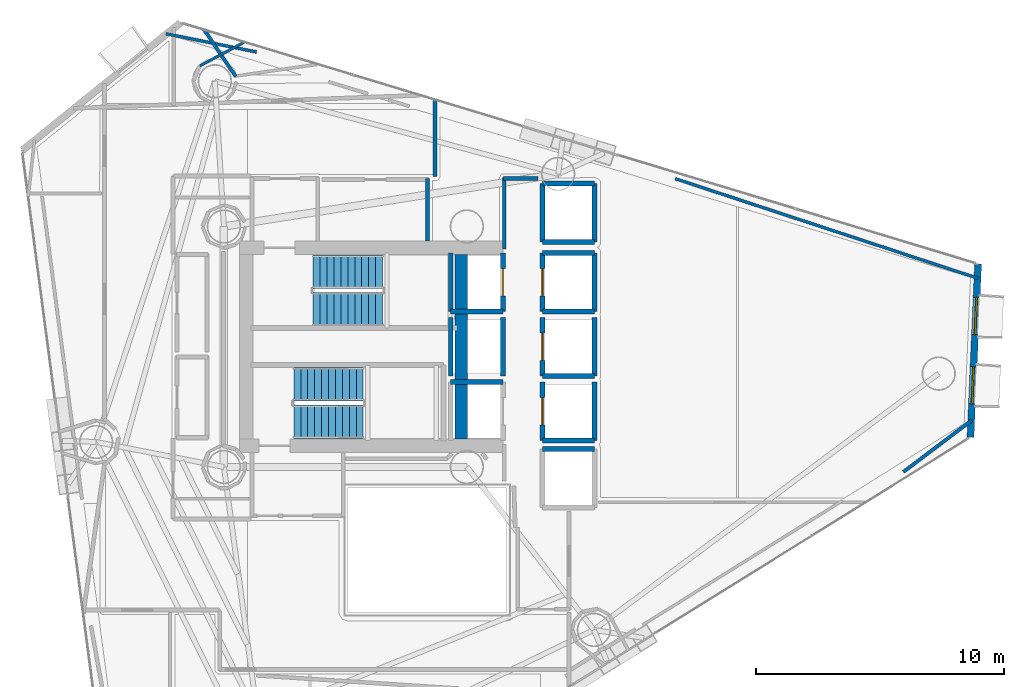
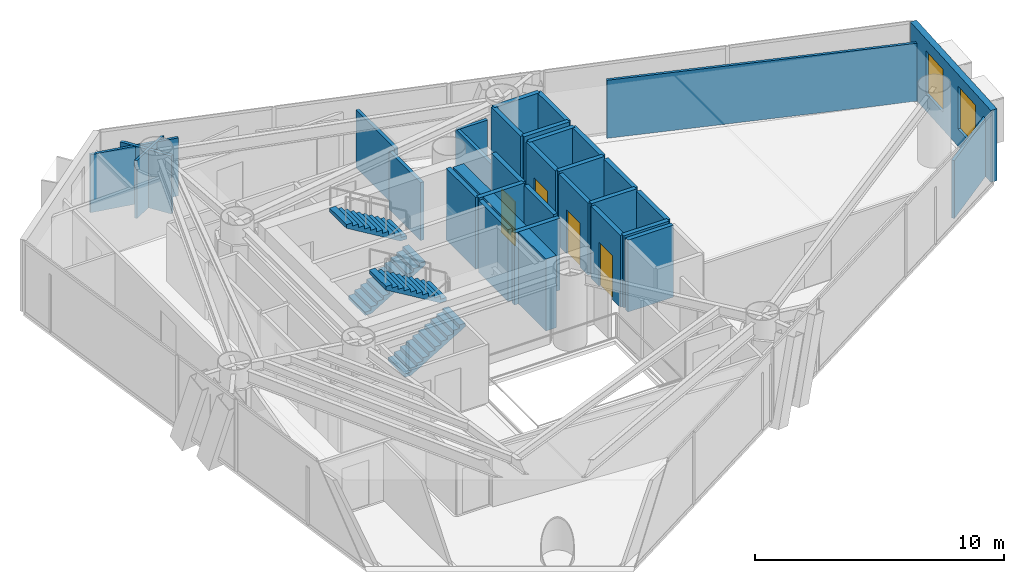
# One storey, part 20 of 22: 32 walls, 4 doors, 4 stair flights, 2 windows, 6 openings, 2 elements without a shape of their own.
"""IFC4 building model written with IfcOpenShell, lengths in metres."""

from ifc_helpers import new_model, si_unit, direction, frame, frame_2d, origin, place, context, subcontext, project, spatial, polyline, rectangle, outline, extrude, material, layer, layer_set, type_object, element, fill, aggregate, save


model = new_model("IFC4")

# Units and contexts
model_context = context("Model", 3, precision=1e-05, world=origin(), true_north=direction((0.0, 1.0)))
body_context = subcontext(model_context, "Body", "Model", "MODEL_VIEW")
ifc_project = project(units=[si_unit("LENGTHUNIT", "METRE"), si_unit("AREAUNIT", "SQUARE_METRE"), si_unit("VOLUMEUNIT", "CUBIC_METRE"), si_unit("PLANEANGLEUNIT", "RADIAN"), si_unit("MASSUNIT", "GRAM", prefix="KILO")], contexts=[model_context])

# Site, building, storey
site_placement = place(None, origin())
site = spatial("IfcSite", under=ifc_project, at=site_placement, CompositionType="ELEMENT")
building_placement = place(site_placement, origin())
building = spatial("IfcBuilding", under=site, at=building_placement, Name="Qianvela Tower", CompositionType="ELEMENT")
storey_placement = place(building_placement, frame((0.0, 0.0, 177.199951171875)))
storey = spatial("IfcBuildingStorey", under=building, at=storey_placement, Name="L45", CompositionType="ELEMENT", Elevation=177.199951171875)

# Wall, openings, windows
ifc_material_1 = material(Name="Terracotta Cladding on Concrete C40", Category="masonry")
ifc_layer_1 = layer(ifc_material_1, 0.280029296875)
ifc_layer_set_1 = layer_set([ifc_layer_1], Name="Terracotta Cladding on Concrete C40")
wall_type_1 = type_object("IfcWallType", Name="TERRACOTTA-WALL-280", PredefinedType="SOLIDWALL", material=ifc_layer_set_1)
wall_1_placement = place(storey_placement, frame((58.717529296875, 25.052001953125, 0.0), z_axis=(0.0, 0.0, 1.0), x_axis=(0.04366308489, 0.999046312749, 0.0)))
wall_1 = element("IfcWall", 1, at=wall_1_placement, inside=storey, type_object=wall_type_1, Name="L45 Terracotta Chamfer Facet Wall 1", PredefinedType="SOLIDWALL", context=body_context, shape_type="SweptSolid", body=[
    extrude(rectangle(XDim=6.9892578125, YDim=0.280029296875, at=frame_2d((3.49462890625, 0.0))), origin(), (0.0, 0.0, 1.0), 3.52001953125),
])
opening_1_placement = place(wall_1_placement, frame((1.3466796875, 0.0, 0.85009765625)))
opening_1 = element("IfcOpeningElement", 2, at=opening_1_placement, cuts=wall_1, Name="Opening W-02", PredefinedType="OPENING", context=body_context, shape_type="SweptSolid", body=[
    extrude(rectangle(XDim=1.5, YDim=2.10009765625, at=frame_2d((0.75, 1.050048828125))), frame((0.0, 0.14990234375, 0.0), z_axis=(0.0, -1.0, 0.0), x_axis=(1.0, 0.0, 0.0)), (0.0, 0.0, 1.0), 0.300048828125),
])
opening_2_placement = place(wall_1_placement, frame((4.142333984375, 0.0, 0.85009765625)))
opening_2 = element("IfcOpeningElement", 3, at=opening_2_placement, cuts=wall_1, Name="Opening W-02", PredefinedType="OPENING", context=body_context, shape_type="SweptSolid", body=[
    extrude(rectangle(XDim=1.5, YDim=2.10009765625, at=frame_2d((0.75, 1.050048828125))), frame((0.0, 0.14990234375, 0.0), z_axis=(0.0, -1.0, 0.0), x_axis=(1.0, 0.0, 0.0)), (0.0, 0.0, 1.0), 0.300048828125),
])
ifc_material_2 = material(Name="Thermally Broken Aluminium and Low-E Glass", Category="aluminium")
window_type = type_object("IfcWindowType", Name="WIN-TC-1500x2100", PartitioningType="DOUBLE_PANEL_VERTICAL", PredefinedType="WINDOW", material=ifc_material_2)
window_1_placement = place(opening_1_placement, origin())
window_1 = element("IfcWindow", 4, at=window_1_placement, inside=storey, type_object=window_type, Name="L45 Chamfer Facet Window 1.1", OverallHeight=2.10009765625, OverallWidth=1.5, PartitioningType="SINGLE_PANEL", PredefinedType="WINDOW", context=body_context, shape_type="SweptSolid", body=[
    extrude(rectangle(XDim=1.5, YDim=2.10009765625, at=frame_2d((0.75, 1.050048828125))), frame((0.0, 0.030029296875, 0.0), z_axis=(0.0, -1.0, 0.0), x_axis=(1.0, 0.0, 0.0)), (0.0, 0.0, 1.0), 0.06005859375),
])
fill(opening_1, window_1)
window_2_placement = place(opening_2_placement, origin())
window_2 = element("IfcWindow", 5, at=window_2_placement, inside=storey, type_object=window_type, Name="L45 Chamfer Facet Window 1.2", OverallHeight=2.10009765625, OverallWidth=1.5, PartitioningType="SINGLE_PANEL", PredefinedType="WINDOW", context=body_context, shape_type="SweptSolid", body=[
    extrude(rectangle(XDim=1.5, YDim=2.10009765625, at=frame_2d((0.75, 1.050048828125))), frame((0.0, 0.030029296875, 0.0), z_axis=(0.0, -1.0, 0.0), x_axis=(1.0, 0.0, 0.0)), (0.0, 0.0, 1.0), 0.06005859375),
])
fill(opening_2, window_2)

# Walls
ifc_material_3 = material(Name="Concrete C60", Category="concrete")
ifc_layer_2 = layer(ifc_material_3, 0.550048828125)
ifc_layer_set_2 = layer_set([ifc_layer_2], Name="Concrete C60")
wall_type_2 = type_object("IfcWallType", Name="WT-CORE-550", PredefinedType="SHEAR", material=ifc_layer_set_2)
wall_2_placement = place(storey_placement, frame((38.179931640625, 24.97998046875, 0.0), z_axis=(0.0, 0.0, 1.0), x_axis=(0.0, 1.0, 0.0)))
element("IfcWall", 6, at=wall_2_placement, inside=storey, type_object=wall_type_2, Name="L45 East Spine Core Shear Wall", PredefinedType="SHEAR", context=body_context, shape_type="SweptSolid", body=[
    extrude(rectangle(XDim=7.43994140625, YDim=0.5, at=frame_2d((3.719970703125, 0.0))), origin(), (0.0, 0.0, 1.0), 3.52001953125),
])
ifc_material_4 = material(Name="Fire-Rated Acoustic Gypsum Board")
ifc_layer_3 = layer(ifc_material_4, 0.14990234375)
ifc_layer_set_3 = layer_set([ifc_layer_3], Name="Fire-Rated Acoustic Gypsum Board")
wall_type_3 = type_object("IfcWallType", Name="WT-CORR-150", PredefinedType="PARTITIONING", material=ifc_layer_set_3)
wall_3_placement = place(storey_placement, frame((39.910888671875, 32.639892578125, 0.0), z_axis=(0.0, 0.0, 1.0), x_axis=(0.0, 1.0, 0.0)))
element("IfcWall", 7, at=wall_3_placement, inside=storey, type_object=wall_type_3, Name="L45 Partition 12", PredefinedType="PARTITIONING", context=body_context, shape_type="SweptSolid", body=[
    extrude(rectangle(XDim=2.880126953125, YDim=0.14990234375, at=frame_2d((1.43994140625, 0.0))), origin(), (0.0, 0.0, 1.0), 2.840087890625),
])
wall_4_placement = place(storey_placement, frame((39.8798828125, 35.489013671875, 0.0), z_axis=(0.0, 0.0, 1.0), x_axis=(1.0, 0.0, 0.0)))
element("IfcWall", 8, at=wall_4_placement, inside=storey, type_object=wall_type_3, Name="L45 Partition 13", PredefinedType="PARTITIONING", context=body_context, shape_type="SweptSolid", body=[
    extrude(rectangle(XDim=1.3828125, YDim=0.14990234375, at=frame_2d((0.69140625, 0.0))), origin(), (0.0, 0.0, 1.0), 2.840087890625),
])
wall_5_placement = place(storey_placement, frame((37.118896484375, 38.681396484375, 0.0), z_axis=(0.0, 0.0, 1.0), x_axis=(0.0, -1.0, 0.0)))
element("IfcWall", 9, at=wall_5_placement, inside=storey, type_object=wall_type_3, Name="L45 Partition 52", PredefinedType="PARTITIONING", context=body_context, shape_type="SweptSolid", body=[
    extrude(rectangle(XDim=3.121337890625, YDim=0.14990234375, at=frame_2d((1.560546875, 0.0))), origin(), (0.0, 0.0, 1.0), 2.840087890625),
])
ifc_material_5 = material(Name="Lightweight Gypsum Room Partition")
ifc_layer_4 = layer(ifc_material_5, 0.10498046875)
ifc_layer_set_4 = layer_set([ifc_layer_4], Name="Lightweight Gypsum Room Partition")
wall_type_4 = type_object("IfcWallType", Name="WT-PART-105", PredefinedType="PARTITIONING", material=ifc_layer_set_4)
wall_6_placement = place(storey_placement, frame((29.44384765625, 40.998291015625, 0.0), z_axis=(0.0, 0.0, 1.0), x_axis=(-0.881941878048, -0.471358169277, 0.0)))
element("IfcWall", 10, at=wall_6_placement, inside=storey, type_object=wall_type_4, Name="L45 Partition 112", PredefinedType="PARTITIONING", context=body_context, shape_type="SweptSolid", body=[
    extrude(rectangle(XDim=2.056884765625, YDim=0.10498046875, at=frame_2d((1.0283203125, 0.0))), origin(), (0.0, 0.0, 1.0), 2.840087890625),
])
ifc_material_6 = material(Name="Insulated Gypsum Stud Partition")
ifc_layer_5 = layer(ifc_material_6, 0.1201171875)
ifc_layer_set_5 = layer_set([ifc_layer_5], Name="Insulated Gypsum Stud Partition")
wall_type_5 = type_object("IfcWallType", Name="WT-PART-120", PredefinedType="PARTITIONING", material=ifc_layer_set_5)
wall_7_placement = place(storey_placement, frame((46.805419921875, 35.47998046875, 0.0), z_axis=(0.0, 0.0, 1.0), x_axis=(0.949872893816, -0.312636347206, 0.0)))
element("IfcWall", 11, at=wall_7_placement, inside=storey, type_object=wall_type_5, Name="L45 Partition 105 seg 3", PredefinedType="PARTITIONING", context=body_context, shape_type="SweptSolid", body=[
    extrude(rectangle(XDim=12.856201171875, YDim=0.1201171875, at=frame_2d((6.42822265625, 0.0))), origin(), (0.0, 0.0, 1.0), 2.840087890625),
])
wall_8_placement = place(storey_placement, frame((26.26025390625, 41.326416015625, 0.0), z_axis=(0.0, 0.0, 1.0), x_axis=(0.980302740646, -0.197500725778, 0.0)))
element("IfcWall", 12, at=wall_8_placement, inside=storey, type_object=wall_type_5, Name="L45 Partition 108 seg 1", PredefinedType="PARTITIONING", context=body_context, shape_type="SweptSolid", body=[
    extrude(rectangle(XDim=3.7294921875, YDim=0.1201171875, at=frame_2d((1.86474609375, 0.0))), origin(), (0.0, 0.0, 1.0), 2.840087890625),
])
ifc_material_7 = material(Name="Sanitary Service Chase Partition")
ifc_layer_6 = layer(ifc_material_7, 0.1650390625)
ifc_layer_set_6 = layer_set([ifc_layer_6], Name="Sanitary Service Chase Partition")
wall_type_6 = type_object("IfcWallType", Name="WT-PLUMB-165", PredefinedType="PLUMBINGWALL", material=ifc_layer_set_6)
wall_9_placement = place(storey_placement, frame((36.819091796875, 35.47998046875, 0.0), z_axis=(0.0, 0.0, 1.0), x_axis=(0.0, -1.0, 0.0)))
element("IfcWall", 13, at=wall_9_placement, inside=storey, type_object=wall_type_6, Name="L45 Partition 23", PredefinedType="PLUMBINGWALL", context=body_context, shape_type="SweptSolid", body=[
    extrude(rectangle(XDim=2.52197265625, YDim=0.1650390625, at=frame_2d((1.260986328125, 0.0))), origin(), (0.0, 0.0, 1.0), 2.840087890625),
])
ifc_material_8 = material(Name="Acoustic Double Gypsum Stud Partition")
ifc_layer_7 = layer(ifc_material_8, 0.139892578125)
ifc_layer_set_7 = layer_set([ifc_layer_7], Name="Acoustic Double Gypsum Stud Partition")
wall_type_7 = type_object("IfcWallType", Name="WT-ROOM-140", PredefinedType="PARTITIONING", material=ifc_layer_set_7)
wall_10_placement = place(storey_placement, frame((58.763671875, 25.7294921875, 0.0), z_axis=(0.0, 0.0, 1.0), x_axis=(-0.798160883606, -0.602444357498, 0.0)))
element("IfcWall", 14, at=wall_10_placement, inside=storey, type_object=wall_type_7, Name="L45 Partition 107 seg 1", PredefinedType="PARTITIONING", context=body_context, shape_type="SweptSolid", body=[
    extrude(rectangle(XDim=3.44775390625, YDim=0.139892578125, at=frame_2d((1.723876953125, 0.0))), origin(), (0.0, 0.0, 1.0), 2.840087890625),
])
wall_11_placement = place(storey_placement, frame((29.076416015625, 39.601806640625, 0.0), z_axis=(0.0, 0.0, 1.0), x_axis=(-0.559770156555, 0.828647917894, 0.0)))
element("IfcWall", 15, at=wall_11_placement, inside=storey, type_object=wall_type_7, Name="L45 Partition 110", PredefinedType="PARTITIONING", context=body_context, shape_type="SweptSolid", body=[
    extrude(rectangle(XDim=2.284423828125, YDim=0.139892578125, at=frame_2d((1.14208984375, 0.0))), origin(), (0.0, 0.0, 1.0), 2.840087890625),
])

# Wall, opening, door
ifc_material_9 = material(Name="Concrete C50", Category="concrete")
ifc_layer_8 = layer(ifc_material_9, 0.199951171875)
ifc_layer_set_8 = layer_set([ifc_layer_8], Name="Concrete C50")
wall_type_8 = type_object("IfcWallType", Name="WT-SHAFT-200", PredefinedType="SOLIDWALL", material=ifc_layer_set_8)
wall_12_placement = place(storey_placement, frame((39.85009765625, 30.1201171875, 0.0), z_axis=(0.0, 0.0, 1.0), x_axis=(0.0, 1.0, 0.0)))
wall_12 = element("IfcWall", 16, at=wall_12_placement, inside=storey, type_object=wall_type_8, Name="L45 Lift FL-1 E Shaft Wall", PredefinedType="SOLIDWALL", context=body_context, shape_type="SweptSolid", body=[
    extrude(rectangle(XDim=2.35986328125, YDim=0.199951171875, at=frame_2d((1.179931640625, 0.0))), origin(), (0.0, 0.0, 1.0), 3.52001953125),
])
opening_3_placement = place(wall_12_placement, frame((0.6298828125, 0.0, 0.0)))
opening_3 = element("IfcOpeningElement", 17, at=opening_3_placement, cuts=wall_12, Name="Opening LD-01", PredefinedType="OPENING", context=body_context, shape_type="SweptSolid", body=[
    extrude(rectangle(XDim=1.10009765625, YDim=2.14990234375, at=frame_2d((0.550048828125, 1.074951171875))), frame((0.0, 0.10986328125, 0.0), z_axis=(0.0, -1.0, 0.0), x_axis=(1.0, 0.0, 0.0)), (0.0, 0.0, 1.0), 0.219970703125),
])
ifc_material_10 = material(Name="Brushed Stainless Steel Lift Landing Door", Category="steel")
door_type = type_object("IfcDoorType", Name="DT-LIFT-SLIDE-1100", OperationType="SLIDING_TO_LEFT", PredefinedType="DOOR", material=ifc_material_10)
door_1_placement = place(opening_3_placement, origin())
door_1 = element("IfcDoor", 18, at=door_1_placement, inside=storey, type_object=door_type, Name="L45 Lift FL-1 Sliding Landing Door", OperationType="SLIDING_TO_LEFT", OverallHeight=2.14990234375, OverallWidth=1.10009765625, PredefinedType="DOOR", context=body_context, shape_type="SweptSolid", body=[
    extrude(rectangle(XDim=1.10009765625, YDim=2.14990234375, at=frame_2d((0.550048828125, 1.074951171875))), frame((0.0, 0.02490234375, 0.0), z_axis=(0.0, -1.0, 0.0), x_axis=(1.0, 0.0, 0.0)), (0.0, 0.0, 1.0), 0.050048828125),
])
fill(opening_3, door_1)

# Walls
wall_13_placement = place(storey_placement, frame((37.75, 30.1201171875, 0.0), z_axis=(0.0, 0.0, 1.0), x_axis=(0.0, 1.0, 0.0)))
element("IfcWall", 19, at=wall_13_placement, inside=storey, type_object=wall_type_8, Name="L45 Lift FL-1 W Shaft Wall", PredefinedType="SOLIDWALL", context=body_context, shape_type="SweptSolid", body=[
    extrude(rectangle(XDim=2.35986328125, YDim=0.199951171875, at=frame_2d((1.179931640625, 0.0))), origin(), (0.0, 0.0, 1.0), 3.52001953125),
])
for number, where, z_axis, x_axis, name in (
    (20, (37.75, 30.1201171875, 0.0), (0.0, 0.0, 1.0), (1.0, 0.0, 0.0), "L45 Lift FL-1 S Shaft Wall"),
    (21, (37.75, 27.280029296875, 0.0), (0.0, 0.0, 1.0), (1.0, 0.0, 0.0), "L45 Lift FL-2 N Shaft Wall"),
):
    element("IfcWall", number, at=place(storey_placement, frame(where, z_axis=z_axis, x_axis=x_axis)), inside=storey, type_object=wall_type_8, Name=name, PredefinedType="SOLIDWALL", context=body_context, shape_type="SweptSolid", body=[
        extrude(rectangle(XDim=2.10009765625, YDim=0.199951171875, at=frame_2d((1.050048828125, 0.0))), origin(), (0.0, 0.0, 1.0), 3.52001953125),
    ])
wall_14_placement = place(storey_placement, frame((43.550048828125, 30.1201171875, 0.0), z_axis=(0.0, 0.0, 1.0), x_axis=(0.0, 1.0, 0.0)))
element("IfcWall", 22, at=wall_14_placement, inside=storey, type_object=wall_type_8, Name="L45 Lift PL-M1 E Shaft Wall", PredefinedType="SOLIDWALL", context=body_context, shape_type="SweptSolid", body=[
    extrude(rectangle(XDim=2.35986328125, YDim=0.199951171875, at=frame_2d((1.179931640625, 0.0))), origin(), (0.0, 0.0, 1.0), 3.52001953125),
])

# Wall, opening, door
wall_15_placement = place(storey_placement, frame((41.449951171875, 30.1201171875, 0.0), z_axis=(0.0, 0.0, 1.0), x_axis=(0.0, 1.0, 0.0)))
wall_15 = element("IfcWall", 23, at=wall_15_placement, inside=storey, type_object=wall_type_8, Name="L45 Lift PL-M1 W Shaft Wall", PredefinedType="SOLIDWALL", context=body_context, shape_type="SweptSolid", body=[
    extrude(rectangle(XDim=2.35986328125, YDim=0.199951171875, at=frame_2d((1.179931640625, 0.0))), origin(), (0.0, 0.0, 1.0), 3.52001953125),
])
opening_4_placement = place(wall_15_placement, frame((0.6298828125, 0.0, 0.0)))
opening_4 = element("IfcOpeningElement", 24, at=opening_4_placement, cuts=wall_15, Name="Opening LD-01", PredefinedType="OPENING", context=body_context, shape_type="SweptSolid", body=[
    extrude(rectangle(XDim=1.10009765625, YDim=2.14990234375, at=frame_2d((0.550048828125, 1.074951171875))), frame((0.0, 0.10986328125, 0.0), z_axis=(0.0, -1.0, 0.0), x_axis=(1.0, 0.0, 0.0)), (0.0, 0.0, 1.0), 0.219970703125),
])
door_2_placement = place(opening_4_placement, origin())
door_2 = element("IfcDoor", 25, at=door_2_placement, inside=storey, type_object=door_type, Name="L45 Lift PL-M1 Sliding Landing Door", OperationType="SLIDING_TO_LEFT", OverallHeight=2.14990234375, OverallWidth=1.10009765625, PredefinedType="DOOR", context=body_context, shape_type="SweptSolid", body=[
    extrude(rectangle(XDim=1.10009765625, YDim=2.14990234375, at=frame_2d((0.550048828125, 1.074951171875))), frame((0.0, 0.02490234375, 0.0), z_axis=(0.0, -1.0, 0.0), x_axis=(1.0, 0.0, 0.0)), (0.0, 0.0, 1.0), 0.050048828125),
])
fill(opening_4, door_2)

# Walls
for number, where, z_axis, x_axis, name in (
    (26, (41.449951171875, 32.47998046875, 0.0), (0.0, 0.0, 1.0), (1.0, 0.0, 0.0), "L45 Lift PL-M1 N Shaft Wall"),
    (27, (41.449951171875, 30.1201171875, 0.0), (0.0, 0.0, 1.0), (1.0, 0.0, 0.0), "L45 Lift PL-M1 S Shaft Wall"),
):
    element("IfcWall", number, at=place(storey_placement, frame(where, z_axis=z_axis, x_axis=x_axis)), inside=storey, type_object=wall_type_8, Name=name, PredefinedType="SOLIDWALL", context=body_context, shape_type="SweptSolid", body=[
        extrude(rectangle(XDim=2.10009765625, YDim=0.199951171875, at=frame_2d((1.050048828125, 0.0))), origin(), (0.0, 0.0, 1.0), 3.52001953125),
    ])
wall_16_placement = place(storey_placement, frame((43.550048828125, 27.52001953125, 0.0), z_axis=(0.0, 0.0, 1.0), x_axis=(0.0, 1.0, 0.0)))
element("IfcWall", 28, at=wall_16_placement, inside=storey, type_object=wall_type_8, Name="L45 Lift PL-M2 E Shaft Wall", PredefinedType="SOLIDWALL", context=body_context, shape_type="SweptSolid", body=[
    extrude(rectangle(XDim=2.35986328125, YDim=0.199951171875, at=frame_2d((1.179931640625, 0.0))), origin(), (0.0, 0.0, 1.0), 3.52001953125),
])

# Wall, opening, door
wall_17_placement = place(storey_placement, frame((41.449951171875, 27.52001953125, 0.0), z_axis=(0.0, 0.0, 1.0), x_axis=(0.0, 1.0, 0.0)))
wall_17 = element("IfcWall", 29, at=wall_17_placement, inside=storey, type_object=wall_type_8, Name="L45 Lift PL-M2 W Shaft Wall", PredefinedType="SOLIDWALL", context=body_context, shape_type="SweptSolid", body=[
    extrude(rectangle(XDim=2.35986328125, YDim=0.199951171875, at=frame_2d((1.179931640625, 0.0))), origin(), (0.0, 0.0, 1.0), 3.52001953125),
])
opening_5_placement = place(wall_17_placement, frame((0.6298828125, 0.0, 0.0)))
opening_5 = element("IfcOpeningElement", 30, at=opening_5_placement, cuts=wall_17, Name="Opening LD-01", PredefinedType="OPENING", context=body_context, shape_type="SweptSolid", body=[
    extrude(rectangle(XDim=1.10009765625, YDim=2.14990234375, at=frame_2d((0.550048828125, 1.074951171875))), frame((0.0, 0.10986328125, 0.0), z_axis=(0.0, -1.0, 0.0), x_axis=(1.0, 0.0, 0.0)), (0.0, 0.0, 1.0), 0.219970703125),
])
door_3_placement = place(opening_5_placement, origin())
door_3 = element("IfcDoor", 31, at=door_3_placement, inside=storey, type_object=door_type, Name="L45 Lift PL-M2 Sliding Landing Door", OperationType="SLIDING_TO_LEFT", OverallHeight=2.14990234375, OverallWidth=1.10009765625, PredefinedType="DOOR", context=body_context, shape_type="SweptSolid", body=[
    extrude(rectangle(XDim=1.10009765625, YDim=2.14990234375, at=frame_2d((0.550048828125, 1.074951171875))), frame((0.0, 0.02490234375, 0.0), z_axis=(0.0, -1.0, 0.0), x_axis=(1.0, 0.0, 0.0)), (0.0, 0.0, 1.0), 0.050048828125),
])
fill(opening_5, door_3)

# Walls
wall_18_placement = place(storey_placement, frame((41.449951171875, 27.52001953125, 0.0), z_axis=(0.0, 0.0, 1.0), x_axis=(1.0, 0.0, 0.0)))
element("IfcWall", 32, at=wall_18_placement, inside=storey, type_object=wall_type_8, Name="L45 Lift PL-M2 S Shaft Wall", PredefinedType="SOLIDWALL", context=body_context, shape_type="SweptSolid", body=[
    extrude(rectangle(XDim=2.10009765625, YDim=0.199951171875, at=frame_2d((1.050048828125, 0.0))), origin(), (0.0, 0.0, 1.0), 3.52001953125),
])
wall_19_placement = place(storey_placement, frame((43.550048828125, 24.919921875, 0.0), z_axis=(0.0, 0.0, 1.0), x_axis=(0.0, 1.0, 0.0)))
element("IfcWall", 33, at=wall_19_placement, inside=storey, type_object=wall_type_8, Name="L45 Lift PL-M3 E Shaft Wall", PredefinedType="SOLIDWALL", context=body_context, shape_type="SweptSolid", body=[
    extrude(rectangle(XDim=2.360107421875, YDim=0.199951171875, at=frame_2d((1.18017578125, 0.0))), origin(), (0.0, 0.0, 1.0), 3.52001953125),
])

# Wall, opening, door
wall_20_placement = place(storey_placement, frame((41.449951171875, 24.919921875, 0.0), z_axis=(0.0, 0.0, 1.0), x_axis=(0.0, 1.0, 0.0)))
wall_20 = element("IfcWall", 34, at=wall_20_placement, inside=storey, type_object=wall_type_8, Name="L45 Lift PL-M3 W Shaft Wall", PredefinedType="SOLIDWALL", context=body_context, shape_type="SweptSolid", body=[
    extrude(rectangle(XDim=2.360107421875, YDim=0.199951171875, at=frame_2d((1.18017578125, 0.0))), origin(), (0.0, 0.0, 1.0), 3.52001953125),
])
opening_6_placement = place(wall_20_placement, frame((0.6298828125, 0.0, 0.0)))
opening_6 = element("IfcOpeningElement", 35, at=opening_6_placement, cuts=wall_20, Name="Opening LD-01", PredefinedType="OPENING", context=body_context, shape_type="SweptSolid", body=[
    extrude(rectangle(XDim=1.10009765625, YDim=2.14990234375, at=frame_2d((0.550048828125, 1.074951171875))), frame((0.0, 0.10986328125, 0.0), z_axis=(0.0, -1.0, 0.0), x_axis=(1.0, 0.0, 0.0)), (0.0, 0.0, 1.0), 0.219970703125),
])
door_4_placement = place(opening_6_placement, origin())
door_4 = element("IfcDoor", 36, at=door_4_placement, inside=storey, type_object=door_type, Name="L45 Lift PL-M3 Sliding Landing Door", OperationType="SLIDING_TO_LEFT", OverallHeight=2.14990234375, OverallWidth=1.10009765625, PredefinedType="DOOR", context=body_context, shape_type="SweptSolid", body=[
    extrude(rectangle(XDim=1.10009765625, YDim=2.14990234375, at=frame_2d((0.550048828125, 1.074951171875))), frame((0.0, 0.02490234375, 0.0), z_axis=(0.0, -1.0, 0.0), x_axis=(1.0, 0.0, 0.0)), (0.0, 0.0, 1.0), 0.050048828125),
])
fill(opening_6, door_4)

# Walls
wall_21_placement = place(storey_placement, frame((41.449951171875, 24.919921875, 0.0), z_axis=(0.0, 0.0, 1.0), x_axis=(1.0, 0.0, 0.0)))
element("IfcWall", 37, at=wall_21_placement, inside=storey, type_object=wall_type_8, Name="L45 Lift PL-M3 S Shaft Wall", PredefinedType="SOLIDWALL", context=body_context, shape_type="SweptSolid", body=[
    extrude(rectangle(XDim=2.10009765625, YDim=0.199951171875, at=frame_2d((1.050048828125, 0.0))), origin(), (0.0, 0.0, 1.0), 3.52001953125),
])
for number, where, z_axis, x_axis, name in (
    (38, (39.85009765625, 27.52001953125, 0.0), (0.0, 0.0, 1.0), (0.0, 1.0, 0.0), "L45 Lift PL-H1 E Shaft Wall"),
    (39, (37.75, 27.52001953125, 0.0), (0.0, 0.0, 1.0), (0.0, 1.0, 0.0), "L45 Lift PL-H1 W Shaft Wall"),
):
    element("IfcWall", number, at=place(storey_placement, frame(where, z_axis=z_axis, x_axis=x_axis)), inside=storey, type_object=wall_type_8, Name=name, PredefinedType="SOLIDWALL", context=body_context, shape_type="SweptSolid", body=[
        extrude(rectangle(XDim=2.35986328125, YDim=0.199951171875, at=frame_2d((1.179931640625, 0.0))), origin(), (0.0, 0.0, 1.0), 3.52001953125),
    ])
wall_22_placement = place(storey_placement, frame((41.449951171875, 24.580078125, 0.0), z_axis=(0.0, 0.0, 1.0), x_axis=(1.0, 0.0, 0.0)))
element("IfcWall", 40, at=wall_22_placement, inside=storey, type_object=wall_type_8, Name="L45 Lift PL-H2 N Shaft Wall", PredefinedType="SOLIDWALL", context=body_context, shape_type="SweptSolid", body=[
    extrude(rectangle(XDim=2.10009765625, YDim=0.199951171875, at=frame_2d((1.050048828125, 0.0))), origin(), (0.0, 0.0, 1.0), 3.52001953125),
])
for number, where, z_axis, x_axis, name in (
    (41, (43.550048828125, 32.919921875, 0.0), (0.0, 0.0, 1.0), (0.0, 1.0, 0.0), "L45 Lift PL-H3 E Shaft Wall"),
    (42, (41.449951171875, 32.919921875, 0.0), (0.0, 0.0, 1.0), (0.0, 1.0, 0.0), "L45 Lift PL-H3 W Shaft Wall"),
):
    element("IfcWall", number, at=place(storey_placement, frame(where, z_axis=z_axis, x_axis=x_axis)), inside=storey, type_object=wall_type_8, Name=name, PredefinedType="SOLIDWALL", context=body_context, shape_type="SweptSolid", body=[
        extrude(rectangle(XDim=2.360107421875, YDim=0.199951171875, at=frame_2d((1.18017578125, 0.0))), origin(), (0.0, 0.0, 1.0), 3.52001953125),
    ])
for number, where, z_axis, x_axis, name in (
    (43, (41.449951171875, 35.280029296875, 0.0), (0.0, 0.0, 1.0), (1.0, 0.0, 0.0), "L45 Lift PL-H3 N Shaft Wall"),
    (44, (41.449951171875, 32.919921875, 0.0), (0.0, 0.0, 1.0), (1.0, 0.0, 0.0), "L45 Lift PL-H3 S Shaft Wall"),
):
    element("IfcWall", number, at=place(storey_placement, frame(where, z_axis=z_axis, x_axis=x_axis)), inside=storey, type_object=wall_type_8, Name=name, PredefinedType="SOLIDWALL", context=body_context, shape_type="SweptSolid", body=[
        extrude(rectangle(XDim=2.10009765625, YDim=0.199951171875, at=frame_2d((1.050048828125, 0.0))), origin(), (0.0, 0.0, 1.0), 3.52001953125),
    ])

# Stair, stair flights
ifc_material_11 = material(Name="Concrete C40", Category="concrete")
stair_type = type_object("IfcStairType", Name="ST-DOGLEG-1350-R168-N22", PredefinedType="HALF_TURN_STAIR", material=ifc_material_11)
stair_1_placement = place(storey_placement, origin())
stair_1 = element("IfcStair", 45, at=stair_1_placement, inside=storey, type_object=stair_type, Name="L45 Smoke-Proof Core Stair ST-1", PredefinedType="HALF_TURN_STAIR")
ifc_material_12 = material(Name="Concrete C40", Category="concrete")
stair_flight_type = type_object("IfcStairFlightType", Name="STF-STRAIGHT-R168-P11", PredefinedType="STRAIGHT", material=ifc_material_12)
stair_flight_1_placement = place(storey_placement, frame((32.199951171875, 30.215087890625, 0.0), z_axis=(0.0, 0.0, 1.0), x_axis=(1.0, 0.0, 0.0)))
stair_flight_1 = element("IfcStairFlight", 46, at=stair_flight_1_placement, type_object=stair_flight_type, Name="ST-1 flight 1", NumberOfRisers=11, NumberOfTreads=10, PredefinedType="STRAIGHT", RiserHeight=0.168181818, TreadLength=0.28, context=body_context, shape_type="SweptSolid", body=[
    extrude(outline(polyline([(0.0, 0.0), (0.0, 0.168212890625), (0.280029296875, 0.168212890625), (0.280029296875, 0.33642578125), (0.56005859375, 0.33642578125), (0.56005859375, 0.504638671875), (0.840087890625, 0.504638671875), (0.840087890625, 0.672607421875), (1.1201171875, 0.672607421875), (1.1201171875, 0.8408203125), (1.39990234375, 0.8408203125), (1.39990234375, 1.009033203125), (1.679931640625, 1.009033203125), (1.679931640625, 1.17724609375), (1.9599609375, 1.17724609375), (1.9599609375, 1.345458984375), (2.239990234375, 1.345458984375), (2.239990234375, 1.513671875), (2.52001953125, 1.513671875), (2.52001953125, 1.681884765625), (2.800048828125, 1.681884765625), (2.800048828125, 1.85009765625), (2.800048828125, 1.5068359375), (0.291015625, 0.0), (0.0, 0.0)])), frame((0.0, 0.675048828125, 0.0), z_axis=(0.0, -1.0, 0.0), x_axis=(1.0, 0.0, 0.0)), (0.0, 0.0, 1.0), 1.35009765625),
])
stair_flight_2_placement = place(storey_placement, frame((35.0, 31.72509765625, 1.85009765625), z_axis=(0.0, 0.0, 1.0), x_axis=(-1.0, 0.0, 0.0)))
stair_flight_2 = element("IfcStairFlight", 47, at=stair_flight_2_placement, type_object=stair_flight_type, Name="ST-1 flight 2", NumberOfRisers=11, NumberOfTreads=10, PredefinedType="STRAIGHT", RiserHeight=0.168181818, TreadLength=0.28, context=body_context, shape_type="SweptSolid", body=[
    extrude(outline(polyline([(0.0, 0.0), (0.0, 0.168212890625), (0.280029296875, 0.168212890625), (0.280029296875, 0.33642578125), (0.56005859375, 0.33642578125), (0.56005859375, 0.504638671875), (0.840087890625, 0.504638671875), (0.840087890625, 0.672607421875), (1.1201171875, 0.672607421875), (1.1201171875, 0.8408203125), (1.39990234375, 0.8408203125), (1.39990234375, 1.009033203125), (1.679931640625, 1.009033203125), (1.679931640625, 1.17724609375), (1.9599609375, 1.17724609375), (1.9599609375, 1.345458984375), (2.239990234375, 1.345458984375), (2.239990234375, 1.513671875), (2.52001953125, 1.513671875), (2.52001953125, 1.681884765625), (2.800048828125, 1.681884765625), (2.800048828125, 1.85009765625), (2.800048828125, 1.5068359375), (0.291015625, 0.0), (0.0, 0.0)])), frame((0.0, 0.675048828125, 0.0), z_axis=(0.0, -1.0, 0.0), x_axis=(1.0, 0.0, 0.0)), (0.0, 0.0, 1.0), 1.35009765625),
])
aggregate(stair_1, [stair_flight_1, stair_flight_2])

stair_2_placement = place(storey_placement, origin())
stair_2 = element("IfcStair", 48, at=stair_2_placement, inside=storey, type_object=stair_type, Name="L45 Smoke-Proof Core Stair ST-2", PredefinedType="HALF_TURN_STAIR")
stair_flight_3_placement = place(storey_placement, frame((31.419921875, 25.675048828125, 0.0), z_axis=(0.0, 0.0, 1.0), x_axis=(1.0, 0.0, 0.0)))
stair_flight_3 = element("IfcStairFlight", 49, at=stair_flight_3_placement, type_object=stair_flight_type, Name="ST-2 flight 1", NumberOfRisers=11, NumberOfTreads=10, PredefinedType="STRAIGHT", RiserHeight=0.168181818, TreadLength=0.28, context=body_context, shape_type="SweptSolid", body=[
    extrude(outline(polyline([(0.0, 0.0), (0.0, 0.168212890625), (0.280029296875, 0.168212890625), (0.280029296875, 0.33642578125), (0.56005859375, 0.33642578125), (0.56005859375, 0.504638671875), (0.840087890625, 0.504638671875), (0.840087890625, 0.672607421875), (1.1201171875, 0.672607421875), (1.1201171875, 0.8408203125), (1.39990234375, 0.8408203125), (1.39990234375, 1.009033203125), (1.679931640625, 1.009033203125), (1.679931640625, 1.17724609375), (1.9599609375, 1.17724609375), (1.9599609375, 1.345458984375), (2.239990234375, 1.345458984375), (2.239990234375, 1.513671875), (2.52001953125, 1.513671875), (2.52001953125, 1.681884765625), (2.800048828125, 1.681884765625), (2.800048828125, 1.85009765625), (2.800048828125, 1.5068359375), (0.291015625, 0.0), (0.0, 0.0)])), frame((0.0, 0.675048828125, 0.0), z_axis=(0.0, -1.0, 0.0), x_axis=(1.0, 0.0, 0.0)), (0.0, 0.0, 1.0), 1.35009765625),
])
stair_flight_4_placement = place(storey_placement, frame((34.219970703125, 27.18505859375, 1.85009765625), z_axis=(0.0, 0.0, 1.0), x_axis=(-1.0, 0.0, 0.0)))
stair_flight_4 = element("IfcStairFlight", 50, at=stair_flight_4_placement, type_object=stair_flight_type, Name="ST-2 flight 2", NumberOfRisers=11, NumberOfTreads=10, PredefinedType="STRAIGHT", RiserHeight=0.168181818, TreadLength=0.28, context=body_context, shape_type="SweptSolid", body=[
    extrude(outline(polyline([(0.0, 0.0), (0.0, 0.168212890625), (0.280029296875, 0.168212890625), (0.280029296875, 0.33642578125), (0.56005859375, 0.33642578125), (0.56005859375, 0.504638671875), (0.840087890625, 0.504638671875), (0.840087890625, 0.672607421875), (1.1201171875, 0.672607421875), (1.1201171875, 0.8408203125), (1.39990234375, 0.8408203125), (1.39990234375, 1.009033203125), (1.679931640625, 1.009033203125), (1.679931640625, 1.17724609375), (1.9599609375, 1.17724609375), (1.9599609375, 1.345458984375), (2.239990234375, 1.345458984375), (2.239990234375, 1.513671875), (2.52001953125, 1.513671875), (2.52001953125, 1.681884765625), (2.800048828125, 1.681884765625), (2.800048828125, 1.85009765625), (2.800048828125, 1.5068359375), (0.291015625, 0.0), (0.0, 0.0)])), frame((0.0, 0.675048828125, 0.0), z_axis=(0.0, -1.0, 0.0), x_axis=(1.0, 0.0, 0.0)), (0.0, 0.0, 1.0), 1.35009765625),
])
aggregate(stair_2, [stair_flight_3, stair_flight_4])

save(model, "model.ifc")
